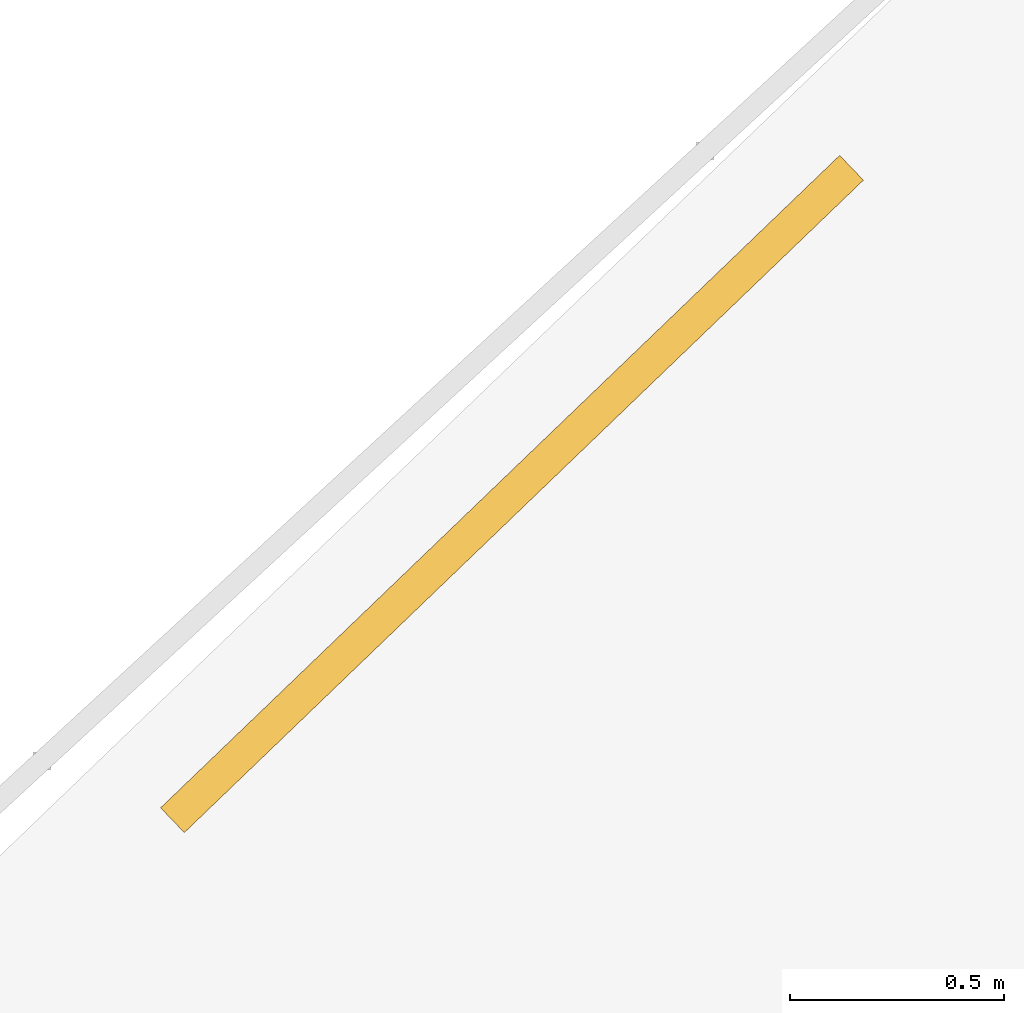
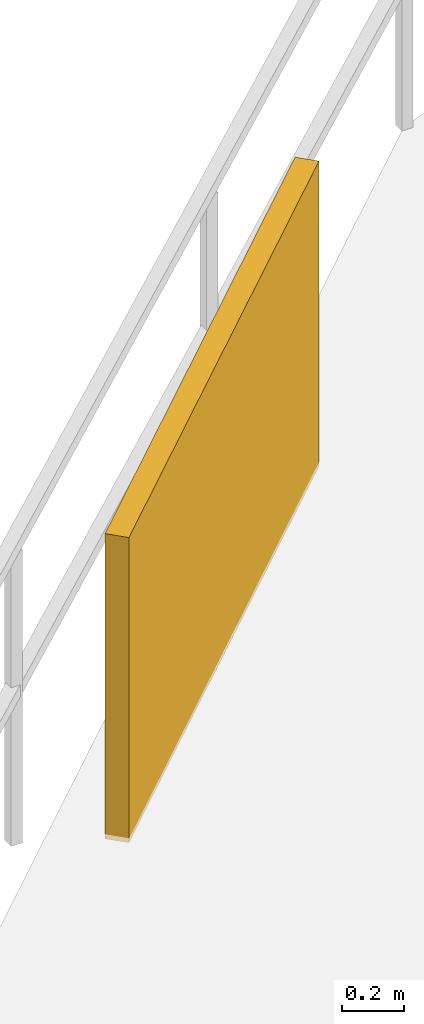
# One storey, part 29 of 30: 1 shading device.
"""IFC4 building model written with IfcOpenShell, lengths in metres."""

from ifc_helpers import new_model, si_unit, direction, frame, origin, origin_2d, place, context, subcontext, project, spatial, rectangle, extrude, material, type_object, element, save


model = new_model("IFC4")

# Units and contexts
model_context = context("Model", 3, precision=1e-05, world=origin(), true_north=direction((0.0, 1.0)))
body_context = subcontext(model_context, "Body", "Model", "MODEL_VIEW")
ifc_project = project(units=[si_unit("LENGTHUNIT", "METRE"), si_unit("AREAUNIT", "SQUARE_METRE"), si_unit("VOLUMEUNIT", "CUBIC_METRE"), si_unit("PLANEANGLEUNIT", "RADIAN"), si_unit("MASSUNIT", "GRAM", prefix="KILO")], contexts=[model_context])

# Site, building, storey
site_placement = place(None, origin())
site = spatial("IfcSite", under=ifc_project, at=site_placement, CompositionType="ELEMENT")
building_placement = place(site_placement, origin())
building = spatial("IfcBuilding", under=site, at=building_placement, Name="Vorneva Point Tower", CompositionType="ELEMENT")
storey_placement = place(building_placement, frame((0.0, 0.0, 237.800048828125)))
storey = spatial("IfcBuildingStorey", under=building, at=storey_placement, Name="L64", CompositionType="ELEMENT", Elevation=237.800048828125)

# Shading device
ifc_material = material(Name="Pale anodised aluminium", Category="aluminium")
shading_device_type = type_object("IfcShadingDeviceType", Name="SHD-JAL-1200", PredefinedType="JALOUSIE", material=ifc_material)
shading_device_placement = place(storey_placement, frame((20.217529296875, 42.629638671875, -0.02001953125), z_axis=(0.0, 0.0, 1.0), x_axis=(-0.721131761714, -0.692797937531, 0.0)))
element("IfcShadingDevice", 1, at=shading_device_placement, inside=storey, type_object=shading_device_type, Name="L64 Balcony Vertical-Greenery Planter Screen NW.2", PredefinedType="JALOUSIE", context=body_context, shape_type="SweptSolid", body=[
    extrude(rectangle(XDim=2.199951171875, YDim=0.080078125, at=origin_2d()), origin(), (0.0, 0.0, 1.0), 1.199951171875),
])

save(model, "model.ifc")
